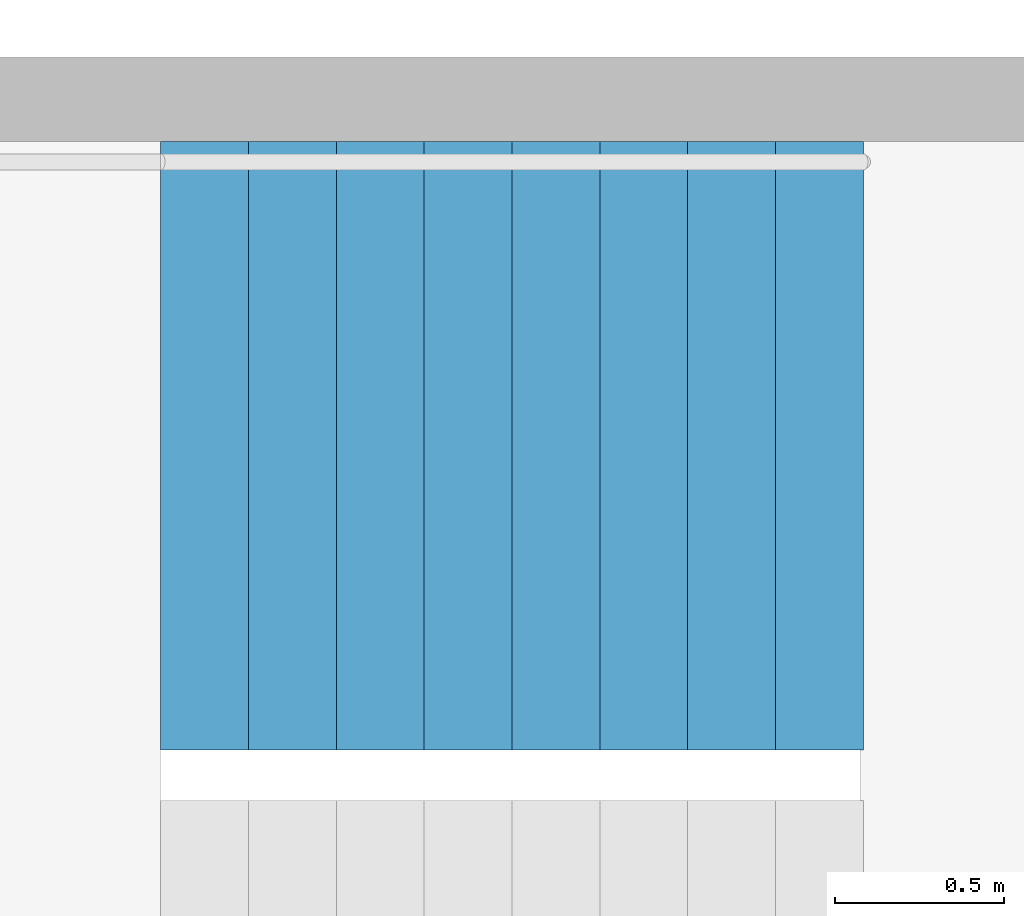
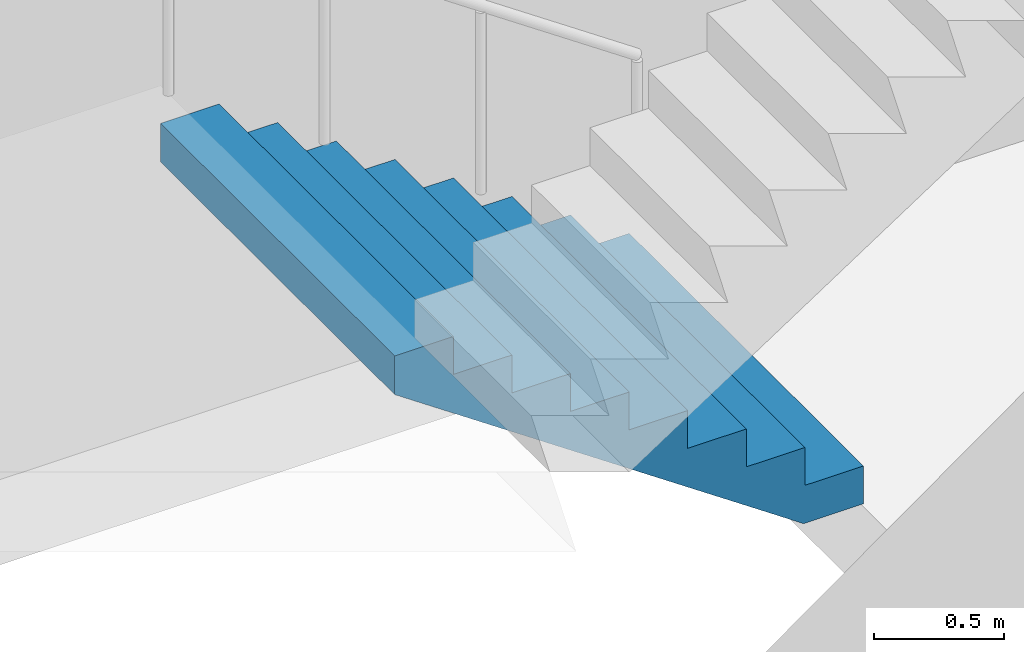
# One storey, part 21 of 35: 1 stair flight, 1 element without a shape of its own.
"""IFC4 building model written with IfcOpenShell, lengths in metres."""

from ifc_helpers import new_model, si_unit, direction, frame, origin, place, context, subcontext, project, spatial, triangles, material, type_object, element, aggregate, save


model = new_model("IFC4")

# Units and contexts
model_context = context("Model", 3, precision=1e-05, world=origin(), true_north=direction((0.0, 1.0)))
body_context = subcontext(model_context, "Body", "Model", "MODEL_VIEW")
ifc_project = project(units=[si_unit("LENGTHUNIT", "METRE"), si_unit("AREAUNIT", "SQUARE_METRE"), si_unit("VOLUMEUNIT", "CUBIC_METRE"), si_unit("PLANEANGLEUNIT", "RADIAN"), si_unit("MASSUNIT", "GRAM", prefix="KILO")], contexts=[model_context])

# Site, building, storey
site_placement = place(None, origin())
site = spatial("IfcSite", under=ifc_project, at=site_placement, CompositionType="ELEMENT")
building_placement = place(site_placement, origin())
building = spatial("IfcBuilding", under=site, at=building_placement, Name="Hakoniwa Tower and Hamabe Station Hall", CompositionType="ELEMENT")
storey_placement = place(building_placement, frame((0.0, 0.0, 51.800048828125)))
storey = spatial("IfcBuildingStorey", under=building, at=storey_placement, Name="L14", CompositionType="ELEMENT", Elevation=51.800048828125)

# Stair, stair flight
ifc_material_1 = material(Name="Concrete C40", Category="concrete")
stair_type = type_object("IfcStairType", Name="ESCAPE STAIR 1800", PredefinedType="HALF_TURN_STAIR", material=ifc_material_1)
stair_placement = place(storey_placement, origin())
stair = element("IfcStair", 1, at=stair_placement, inside=storey, type_object=stair_type, Name="Escape stair ST-2 L14", PredefinedType="HALF_TURN_STAIR")
ifc_material_2 = material(Name="Concrete C40", Category="concrete")
stair_flight_type = type_object("IfcStairFlightType", Name="STAIR FLIGHT 1800", PredefinedType="STRAIGHT", material=ifc_material_2)
stair_flight_placement = place(storey_placement, frame((-23.39990234375, -4.64990234375, 0.0), z_axis=(0.0, 0.0, 1.0), x_axis=(-1.0, 0.0, 0.0)))
stair_flight = element("IfcStairFlight", 2, at=stair_flight_placement, type_object=stair_flight_type, Name="ST-2 flight 1", NumberOfRisers=9, NumberOfTreads=8, PredefinedType="STRAIGHT", RiserHeight=0.177777778, TreadLength=0.26, context=body_context, shape_type="Tessellation", body=[
    triangles([(0.0, 0.89990234375, 0.0), (0.260009765625, 0.89990234375, 0.0), (0.265625, 0.89990234375, 0.0), (0.52001953125, 0.89990234375, 0.174072265625), (0.780029296875, 0.89990234375, 0.351806640625), (1.0400390625, 0.89990234375, 0.529541015625), (1.300048828125, 0.89990234375, 0.707275390625), (1.56005859375, 0.89990234375, 0.885009765625), (1.820068359375, 0.89990234375, 1.062744140625), (2.080078125, 0.89990234375, 1.24072265625), (2.080078125, 0.89990234375, 1.422119140625), (1.820068359375, 0.89990234375, 1.422119140625), (1.820068359375, 0.89990234375, 1.244384765625), (1.56005859375, 0.89990234375, 1.244384765625), (1.56005859375, 0.89990234375, 1.066650390625), (1.300048828125, 0.89990234375, 1.066650390625), (1.300048828125, 0.89990234375, 0.888916015625), (1.0400390625, 0.89990234375, 0.888916015625), (1.0400390625, 0.89990234375, 0.711181640625), (0.780029296875, 0.89990234375, 0.711181640625), (0.780029296875, 0.89990234375, 0.533447265625), (0.52001953125, 0.89990234375, 0.533447265625), (0.52001953125, 0.89990234375, 0.35546875), (0.265625, 0.89990234375, 0.35546875), (0.260009765625, 0.89990234375, 0.35546875), (0.260009765625, 0.89990234375, 0.177734375), (0.0, 0.89990234375, 0.177734375), (0.0, 0.06005859375, 0.0), (0.260009765625, 0.06005859375, 0.0), (0.265625, 0.06005859375, 0.0), (0.52001953125, 0.06005859375, 0.174072265625), (0.780029296875, 0.06005859375, 0.351806640625), (1.0400390625, 0.06005859375, 0.529541015625), (1.300048828125, 0.06005859375, 0.707275390625), (1.56005859375, 0.06005859375, 0.885009765625), (1.820068359375, 0.06005859375, 1.062744140625), (2.080078125, 0.06005859375, 1.24072265625), (2.080078125, 0.06005859375, 1.422119140625), (1.820068359375, 0.06005859375, 1.422119140625), (1.820068359375, 0.06005859375, 1.244384765625), (1.56005859375, 0.06005859375, 1.244384765625), (1.56005859375, 0.06005859375, 1.066650390625), (1.300048828125, 0.06005859375, 1.066650390625), (1.300048828125, 0.06005859375, 0.888916015625), (1.0400390625, 0.06005859375, 0.888916015625), (1.0400390625, 0.06005859375, 0.711181640625), (0.780029296875, 0.06005859375, 0.711181640625), (0.780029296875, 0.06005859375, 0.533447265625), (0.52001953125, 0.06005859375, 0.533447265625), (0.52001953125, 0.06005859375, 0.35546875), (0.265625, 0.06005859375, 0.35546875), (0.260009765625, 0.06005859375, 0.35546875), (0.260009765625, 0.06005859375, 0.177734375), (0.0, 0.06005859375, 0.177734375), (0.0, 0.04296875, 0.0), (0.260009765625, 0.04296875, 0.0), (0.265625, 0.04296875, 0.0), (0.52001953125, 0.04296875, 0.174072265625), (0.780029296875, 0.04296875, 0.351806640625), (1.0400390625, 0.04296875, 0.529541015625), (1.300048828125, 0.04296875, 0.707275390625), (1.56005859375, 0.04296875, 0.885009765625), (1.820068359375, 0.04296875, 1.062744140625), (2.080078125, 0.04296875, 1.24072265625), (2.080078125, 0.04296875, 1.422119140625), (1.820068359375, 0.04296875, 1.422119140625), (1.820068359375, 0.04296875, 1.244384765625), (1.56005859375, 0.04296875, 1.244384765625), (1.56005859375, 0.04296875, 1.066650390625), (1.300048828125, 0.04296875, 1.066650390625), (1.300048828125, 0.04296875, 0.888916015625), (1.0400390625, 0.04296875, 0.888916015625), (1.0400390625, 0.04296875, 0.711181640625), (0.780029296875, 0.04296875, 0.711181640625), (0.780029296875, 0.04296875, 0.533447265625), (0.52001953125, 0.04296875, 0.533447265625), (0.52001953125, 0.04296875, 0.35546875), (0.265625, 0.04296875, 0.35546875), (0.260009765625, 0.04296875, 0.35546875), (0.260009765625, 0.04296875, 0.177734375), (0.0, 0.04296875, 0.177734375), (0.0, 0.025634765625, 0.0), (0.260009765625, 0.025634765625, 0.0), (0.265625, 0.025634765625, 0.0), (0.52001953125, 0.025634765625, 0.174072265625), (0.780029296875, 0.025634765625, 0.351806640625), (1.0400390625, 0.025634765625, 0.529541015625), (1.300048828125, 0.025634765625, 0.707275390625), (1.56005859375, 0.025634765625, 0.885009765625), (1.820068359375, 0.025634765625, 1.062744140625), (2.080078125, 0.025634765625, 1.24072265625), (2.080078125, 0.025634765625, 1.422119140625), (1.820068359375, 0.025634765625, 1.422119140625), (1.820068359375, 0.025634765625, 1.244384765625), (1.56005859375, 0.025634765625, 1.244384765625), (1.56005859375, 0.025634765625, 1.066650390625), (1.300048828125, 0.025634765625, 1.066650390625), (1.300048828125, 0.025634765625, 0.888916015625), (1.0400390625, 0.025634765625, 0.888916015625), (1.0400390625, 0.025634765625, 0.711181640625), (0.780029296875, 0.025634765625, 0.711181640625), (0.780029296875, 0.025634765625, 0.533447265625), (0.52001953125, 0.025634765625, 0.533447265625), (0.52001953125, 0.025634765625, 0.35546875), (0.265625, 0.025634765625, 0.35546875), (0.260009765625, 0.025634765625, 0.35546875), (0.260009765625, 0.025634765625, 0.177734375), (0.0, 0.025634765625, 0.177734375), (0.0, 0.008544921875, 0.0), (0.260009765625, 0.008544921875, 0.0), (0.265625, 0.008544921875, 0.0), (0.52001953125, 0.008544921875, 0.174072265625), (0.780029296875, 0.008544921875, 0.351806640625), (1.0400390625, 0.008544921875, 0.529541015625), (1.300048828125, 0.008544921875, 0.707275390625), (1.56005859375, 0.008544921875, 0.885009765625), (1.820068359375, 0.008544921875, 1.062744140625), (2.080078125, 0.008544921875, 1.24072265625), (2.080078125, 0.008544921875, 1.422119140625), (1.820068359375, 0.008544921875, 1.422119140625), (1.820068359375, 0.008544921875, 1.244384765625), (1.56005859375, 0.008544921875, 1.244384765625), (1.56005859375, 0.008544921875, 1.066650390625), (1.300048828125, 0.008544921875, 1.066650390625), (1.300048828125, 0.008544921875, 0.888916015625), (1.0400390625, 0.008544921875, 0.888916015625), (1.0400390625, 0.008544921875, 0.711181640625), (0.780029296875, 0.008544921875, 0.711181640625), (0.780029296875, 0.008544921875, 0.533447265625), (0.52001953125, 0.008544921875, 0.533447265625), (0.52001953125, 0.008544921875, 0.35546875), (0.265625, 0.008544921875, 0.35546875), (0.260009765625, 0.008544921875, 0.35546875), (0.260009765625, 0.008544921875, 0.177734375), (0.0, 0.008544921875, 0.177734375), (0.0, -0.008544921875, 0.0), (0.260009765625, -0.008544921875, 0.0), (0.265625, -0.008544921875, 0.0), (0.52001953125, -0.008544921875, 0.174072265625), (0.780029296875, -0.008544921875, 0.351806640625), (1.0400390625, -0.008544921875, 0.529541015625), (1.300048828125, -0.008544921875, 0.707275390625), (1.56005859375, -0.008544921875, 0.885009765625), (1.820068359375, -0.008544921875, 1.062744140625), (2.080078125, -0.008544921875, 1.24072265625), (2.080078125, -0.008544921875, 1.422119140625), (1.820068359375, -0.008544921875, 1.422119140625), (1.820068359375, -0.008544921875, 1.244384765625), (1.56005859375, -0.008544921875, 1.244384765625), (1.56005859375, -0.008544921875, 1.066650390625), (1.300048828125, -0.008544921875, 1.066650390625), (1.300048828125, -0.008544921875, 0.888916015625), (1.0400390625, -0.008544921875, 0.888916015625), (1.0400390625, -0.008544921875, 0.711181640625), (0.780029296875, -0.008544921875, 0.711181640625), (0.780029296875, -0.008544921875, 0.533447265625), (0.52001953125, -0.008544921875, 0.533447265625), (0.52001953125, -0.008544921875, 0.35546875), (0.265625, -0.008544921875, 0.35546875), (0.260009765625, -0.008544921875, 0.35546875), (0.260009765625, -0.008544921875, 0.177734375), (0.0, -0.008544921875, 0.177734375), (0.0, -0.025634765625, 0.0), (0.260009765625, -0.025634765625, 0.0), (0.265625, -0.025634765625, 0.0), (0.52001953125, -0.025634765625, 0.174072265625), (0.780029296875, -0.025634765625, 0.351806640625), (1.0400390625, -0.025634765625, 0.529541015625), (1.300048828125, -0.025634765625, 0.707275390625), (1.56005859375, -0.025634765625, 0.885009765625), (1.820068359375, -0.025634765625, 1.062744140625), (2.080078125, -0.025634765625, 1.24072265625), (2.080078125, -0.025634765625, 1.422119140625), (1.820068359375, -0.025634765625, 1.422119140625), (1.820068359375, -0.025634765625, 1.244384765625), (1.56005859375, -0.025634765625, 1.244384765625), (1.56005859375, -0.025634765625, 1.066650390625), (1.300048828125, -0.025634765625, 1.066650390625), (1.300048828125, -0.025634765625, 0.888916015625), (1.0400390625, -0.025634765625, 0.888916015625), (1.0400390625, -0.025634765625, 0.711181640625), (0.780029296875, -0.025634765625, 0.711181640625), (0.780029296875, -0.025634765625, 0.533447265625), (0.52001953125, -0.025634765625, 0.533447265625), (0.52001953125, -0.025634765625, 0.35546875), (0.265625, -0.025634765625, 0.35546875), (0.260009765625, -0.025634765625, 0.35546875), (0.260009765625, -0.025634765625, 0.177734375), (0.0, -0.025634765625, 0.177734375), (0.0, -0.04296875, 0.0), (0.260009765625, -0.04296875, 0.0), (0.265625, -0.04296875, 0.0), (0.52001953125, -0.04296875, 0.174072265625), (0.780029296875, -0.04296875, 0.351806640625), (1.0400390625, -0.04296875, 0.529541015625), (1.300048828125, -0.04296875, 0.707275390625), (1.56005859375, -0.04296875, 0.885009765625), (1.820068359375, -0.04296875, 1.062744140625), (2.080078125, -0.04296875, 1.24072265625), (2.080078125, -0.04296875, 1.422119140625), (1.820068359375, -0.04296875, 1.422119140625), (1.820068359375, -0.04296875, 1.244384765625), (1.56005859375, -0.04296875, 1.244384765625), (1.56005859375, -0.04296875, 1.066650390625), (1.300048828125, -0.04296875, 1.066650390625), (1.300048828125, -0.04296875, 0.888916015625), (1.0400390625, -0.04296875, 0.888916015625), (1.0400390625, -0.04296875, 0.711181640625), (0.780029296875, -0.04296875, 0.711181640625), (0.780029296875, -0.04296875, 0.533447265625), (0.52001953125, -0.04296875, 0.533447265625), (0.52001953125, -0.04296875, 0.35546875), (0.265625, -0.04296875, 0.35546875), (0.260009765625, -0.04296875, 0.35546875), (0.260009765625, -0.04296875, 0.177734375), (0.0, -0.04296875, 0.177734375), (0.0, -0.06005859375, 0.0), (0.260009765625, -0.06005859375, 0.0), (0.265625, -0.06005859375, 0.0), (0.52001953125, -0.06005859375, 0.174072265625), (0.780029296875, -0.06005859375, 0.351806640625), (1.0400390625, -0.06005859375, 0.529541015625), (1.300048828125, -0.06005859375, 0.707275390625), (1.56005859375, -0.06005859375, 0.885009765625), (1.820068359375, -0.06005859375, 1.062744140625), (2.080078125, -0.06005859375, 1.24072265625), (2.080078125, -0.06005859375, 1.422119140625), (1.820068359375, -0.06005859375, 1.422119140625), (1.820068359375, -0.06005859375, 1.244384765625), (1.56005859375, -0.06005859375, 1.244384765625), (1.56005859375, -0.06005859375, 1.066650390625), (1.300048828125, -0.06005859375, 1.066650390625), (1.300048828125, -0.06005859375, 0.888916015625), (1.0400390625, -0.06005859375, 0.888916015625), (1.0400390625, -0.06005859375, 0.711181640625), (0.780029296875, -0.06005859375, 0.711181640625), (0.780029296875, -0.06005859375, 0.533447265625), (0.52001953125, -0.06005859375, 0.533447265625), (0.52001953125, -0.06005859375, 0.35546875), (0.265625, -0.06005859375, 0.35546875), (0.260009765625, -0.06005859375, 0.35546875), (0.260009765625, -0.06005859375, 0.177734375), (0.0, -0.06005859375, 0.177734375), (0.0, -0.89990234375, 0.0), (0.260009765625, -0.89990234375, 0.0), (0.265625, -0.89990234375, 0.0), (0.52001953125, -0.89990234375, 0.174072265625), (0.780029296875, -0.89990234375, 0.351806640625), (1.0400390625, -0.89990234375, 0.529541015625), (1.300048828125, -0.89990234375, 0.707275390625), (1.56005859375, -0.89990234375, 0.885009765625), (1.820068359375, -0.89990234375, 1.062744140625), (2.080078125, -0.89990234375, 1.24072265625), (2.080078125, -0.89990234375, 1.422119140625), (1.820068359375, -0.89990234375, 1.422119140625), (1.820068359375, -0.89990234375, 1.244384765625), (1.56005859375, -0.89990234375, 1.244384765625), (1.56005859375, -0.89990234375, 1.066650390625), (1.300048828125, -0.89990234375, 1.066650390625), (1.300048828125, -0.89990234375, 0.888916015625), (1.0400390625, -0.89990234375, 0.888916015625), (1.0400390625, -0.89990234375, 0.711181640625), (0.780029296875, -0.89990234375, 0.711181640625), (0.780029296875, -0.89990234375, 0.533447265625), (0.52001953125, -0.89990234375, 0.533447265625), (0.52001953125, -0.89990234375, 0.35546875), (0.265625, -0.89990234375, 0.35546875), (0.260009765625, -0.89990234375, 0.35546875), (0.260009765625, -0.89990234375, 0.177734375), (0.0, -0.89990234375, 0.177734375)], [[2, 27, 26], [245, 269, 270], [2, 1, 27], [245, 270, 244], [3, 25, 24], [246, 267, 268], [3, 26, 25], [246, 268, 269], [3, 2, 26], [246, 269, 245], [4, 24, 23], [247, 266, 267], [4, 3, 24], [247, 267, 246], [5, 22, 21], [248, 264, 265], [5, 23, 22], [248, 265, 266], [5, 4, 23], [248, 266, 247], [6, 20, 19], [249, 262, 263], [6, 21, 20], [249, 263, 264], [6, 5, 21], [249, 264, 248], [7, 18, 17], [250, 260, 261], [7, 19, 18], [250, 261, 262], [7, 6, 19], [250, 262, 249], [8, 16, 15], [251, 258, 259], [8, 17, 16], [251, 259, 260], [8, 7, 17], [251, 260, 250], [9, 14, 13], [252, 256, 257], [9, 15, 14], [252, 257, 258], [9, 8, 15], [252, 258, 251], [10, 12, 11], [253, 254, 255], [10, 13, 12], [253, 255, 256], [10, 9, 13], [253, 256, 252], [1, 2, 29], [1, 29, 28], [28, 29, 56], [28, 56, 55], [55, 56, 83], [55, 83, 82], [82, 83, 110], [82, 110, 109], [109, 110, 137], [109, 137, 136], [136, 137, 164], [136, 164, 163], [163, 164, 191], [163, 191, 190], [190, 191, 218], [190, 218, 217], [217, 218, 245], [217, 245, 244], [2, 3, 30], [2, 30, 29], [29, 30, 57], [29, 57, 56], [56, 57, 84], [56, 84, 83], [83, 84, 111], [83, 111, 110], [110, 111, 138], [110, 138, 137], [137, 138, 165], [137, 165, 164], [164, 165, 192], [164, 192, 191], [191, 192, 219], [191, 219, 218], [218, 219, 246], [218, 246, 245], [3, 4, 31], [3, 31, 30], [30, 31, 58], [30, 58, 57], [57, 58, 85], [57, 85, 84], [84, 85, 112], [84, 112, 111], [111, 112, 139], [111, 139, 138], [138, 139, 166], [138, 166, 165], [165, 166, 193], [165, 193, 192], [192, 193, 220], [192, 220, 219], [219, 220, 247], [219, 247, 246], [4, 5, 32], [4, 32, 31], [31, 32, 59], [31, 59, 58], [58, 59, 86], [58, 86, 85], [85, 86, 113], [85, 113, 112], [112, 113, 140], [112, 140, 139], [139, 140, 167], [139, 167, 166], [166, 167, 194], [166, 194, 193], [193, 194, 221], [193, 221, 220], [220, 221, 248], [220, 248, 247], [5, 6, 33], [5, 33, 32], [32, 33, 60], [32, 60, 59], [59, 60, 87], [59, 87, 86], [86, 87, 114], [86, 114, 113], [113, 114, 141], [113, 141, 140], [140, 141, 168], [140, 168, 167], [167, 168, 195], [167, 195, 194], [194, 195, 222], [194, 222, 221], [221, 222, 249], [221, 249, 248], [6, 7, 34], [6, 34, 33], [33, 34, 61], [33, 61, 60], [60, 61, 88], [60, 88, 87], [87, 88, 115], [87, 115, 114], [114, 115, 142], [114, 142, 141], [141, 142, 169], [141, 169, 168], [168, 169, 196], [168, 196, 195], [195, 196, 223], [195, 223, 222], [222, 223, 250], [222, 250, 249], [7, 8, 35], [7, 35, 34], [34, 35, 62], [34, 62, 61], [61, 62, 89], [61, 89, 88], [88, 89, 116], [88, 116, 115], [115, 116, 143], [115, 143, 142], [142, 143, 170], [142, 170, 169], [169, 170, 197], [169, 197, 196], [196, 197, 224], [196, 224, 223], [223, 224, 251], [223, 251, 250], [8, 9, 36], [8, 36, 35], [35, 36, 63], [35, 63, 62], [62, 63, 90], [62, 90, 89], [89, 90, 117], [89, 117, 116], [116, 117, 144], [116, 144, 143], [143, 144, 171], [143, 171, 170], [170, 171, 198], [170, 198, 197], [197, 198, 225], [197, 225, 224], [224, 225, 252], [224, 252, 251], [9, 10, 37], [9, 37, 36], [36, 37, 64], [36, 64, 63], [63, 64, 91], [63, 91, 90], [90, 91, 118], [90, 118, 117], [117, 118, 145], [117, 145, 144], [144, 145, 172], [144, 172, 171], [171, 172, 199], [171, 199, 198], [198, 199, 226], [198, 226, 225], [225, 226, 253], [225, 253, 252], [10, 11, 38], [10, 38, 37], [37, 38, 65], [37, 65, 64], [64, 65, 92], [64, 92, 91], [91, 92, 119], [91, 119, 118], [118, 119, 146], [118, 146, 145], [145, 146, 173], [145, 173, 172], [172, 173, 200], [172, 200, 199], [199, 200, 227], [199, 227, 226], [226, 227, 254], [226, 254, 253], [11, 12, 39], [11, 39, 38], [38, 39, 66], [38, 66, 65], [65, 66, 93], [65, 93, 92], [92, 93, 120], [92, 120, 119], [119, 120, 147], [119, 147, 146], [146, 147, 174], [146, 174, 173], [173, 174, 201], [173, 201, 200], [200, 201, 228], [200, 228, 227], [227, 228, 255], [227, 255, 254], [12, 13, 40], [12, 40, 39], [39, 40, 67], [39, 67, 66], [66, 67, 94], [66, 94, 93], [93, 94, 121], [93, 121, 120], [120, 121, 148], [120, 148, 147], [147, 148, 175], [147, 175, 174], [174, 175, 202], [174, 202, 201], [201, 202, 229], [201, 229, 228], [228, 229, 256], [228, 256, 255], [13, 14, 41], [13, 41, 40], [40, 41, 68], [40, 68, 67], [67, 68, 95], [67, 95, 94], [94, 95, 122], [94, 122, 121], [121, 122, 149], [121, 149, 148], [148, 149, 176], [148, 176, 175], [175, 176, 203], [175, 203, 202], [202, 203, 230], [202, 230, 229], [229, 230, 257], [229, 257, 256], [14, 15, 42], [14, 42, 41], [41, 42, 69], [41, 69, 68], [68, 69, 96], [68, 96, 95], [95, 96, 123], [95, 123, 122], [122, 123, 150], [122, 150, 149], [149, 150, 177], [149, 177, 176], [176, 177, 204], [176, 204, 203], [203, 204, 231], [203, 231, 230], [230, 231, 258], [230, 258, 257], [15, 16, 43], [15, 43, 42], [42, 43, 70], [42, 70, 69], [69, 70, 97], [69, 97, 96], [96, 97, 124], [96, 124, 123], [123, 124, 151], [123, 151, 150], [150, 151, 178], [150, 178, 177], [177, 178, 205], [177, 205, 204], [204, 205, 232], [204, 232, 231], [231, 232, 259], [231, 259, 258], [16, 17, 44], [16, 44, 43], [43, 44, 71], [43, 71, 70], [70, 71, 98], [70, 98, 97], [97, 98, 125], [97, 125, 124], [124, 125, 152], [124, 152, 151], [151, 152, 179], [151, 179, 178], [178, 179, 206], [178, 206, 205], [205, 206, 233], [205, 233, 232], [232, 233, 260], [232, 260, 259], [17, 18, 45], [17, 45, 44], [44, 45, 72], [44, 72, 71], [71, 72, 99], [71, 99, 98], [98, 99, 126], [98, 126, 125], [125, 126, 153], [125, 153, 152], [152, 153, 180], [152, 180, 179], [179, 180, 207], [179, 207, 206], [206, 207, 234], [206, 234, 233], [233, 234, 261], [233, 261, 260], [18, 19, 46], [18, 46, 45], [45, 46, 73], [45, 73, 72], [72, 73, 100], [72, 100, 99], [99, 100, 127], [99, 127, 126], [126, 127, 154], [126, 154, 153], [153, 154, 181], [153, 181, 180], [180, 181, 208], [180, 208, 207], [207, 208, 235], [207, 235, 234], [234, 235, 262], [234, 262, 261], [19, 20, 47], [19, 47, 46], [46, 47, 74], [46, 74, 73], [73, 74, 101], [73, 101, 100], [100, 101, 128], [100, 128, 127], [127, 128, 155], [127, 155, 154], [154, 155, 182], [154, 182, 181], [181, 182, 209], [181, 209, 208], [208, 209, 236], [208, 236, 235], [235, 236, 263], [235, 263, 262], [20, 21, 48], [20, 48, 47], [47, 48, 75], [47, 75, 74], [74, 75, 102], [74, 102, 101], [101, 102, 129], [101, 129, 128], [128, 129, 156], [128, 156, 155], [155, 156, 183], [155, 183, 182], [182, 183, 210], [182, 210, 209], [209, 210, 237], [209, 237, 236], [236, 237, 264], [236, 264, 263], [21, 22, 49], [21, 49, 48], [48, 49, 76], [48, 76, 75], [75, 76, 103], [75, 103, 102], [102, 103, 130], [102, 130, 129], [129, 130, 157], [129, 157, 156], [156, 157, 184], [156, 184, 183], [183, 184, 211], [183, 211, 210], [210, 211, 238], [210, 238, 237], [237, 238, 265], [237, 265, 264], [22, 23, 50], [22, 50, 49], [49, 50, 77], [49, 77, 76], [76, 77, 104], [76, 104, 103], [103, 104, 131], [103, 131, 130], [130, 131, 158], [130, 158, 157], [157, 158, 185], [157, 185, 184], [184, 185, 212], [184, 212, 211], [211, 212, 239], [211, 239, 238], [238, 239, 266], [238, 266, 265], [23, 24, 51], [23, 51, 50], [50, 51, 78], [50, 78, 77], [77, 78, 105], [77, 105, 104], [104, 105, 132], [104, 132, 131], [131, 132, 159], [131, 159, 158], [158, 159, 186], [158, 186, 185], [185, 186, 213], [185, 213, 212], [212, 213, 240], [212, 240, 239], [239, 240, 267], [239, 267, 266], [24, 25, 52], [24, 52, 51], [51, 52, 79], [51, 79, 78], [78, 79, 106], [78, 106, 105], [105, 106, 133], [105, 133, 132], [132, 133, 160], [132, 160, 159], [159, 160, 187], [159, 187, 186], [186, 187, 214], [186, 214, 213], [213, 214, 241], [213, 241, 240], [240, 241, 268], [240, 268, 267], [25, 26, 53], [25, 53, 52], [52, 53, 80], [52, 80, 79], [79, 80, 107], [79, 107, 106], [106, 107, 134], [106, 134, 133], [133, 134, 161], [133, 161, 160], [160, 161, 188], [160, 188, 187], [187, 188, 215], [187, 215, 214], [214, 215, 242], [214, 242, 241], [241, 242, 269], [241, 269, 268], [26, 27, 54], [26, 54, 53], [53, 54, 81], [53, 81, 80], [80, 81, 108], [80, 108, 107], [107, 108, 135], [107, 135, 134], [134, 135, 162], [134, 162, 161], [161, 162, 189], [161, 189, 188], [188, 189, 216], [188, 216, 215], [215, 216, 243], [215, 243, 242], [242, 243, 270], [242, 270, 269], [27, 1, 28], [27, 28, 54], [54, 28, 55], [54, 55, 81], [81, 55, 82], [81, 82, 108], [108, 82, 109], [108, 109, 135], [135, 109, 136], [135, 136, 162], [162, 136, 163], [162, 163, 189], [189, 163, 190], [189, 190, 216], [216, 190, 217], [216, 217, 243], [243, 217, 244], [243, 244, 270]], closed=True),
])
aggregate(stair, [stair_flight])

save(model, "model.ifc")
